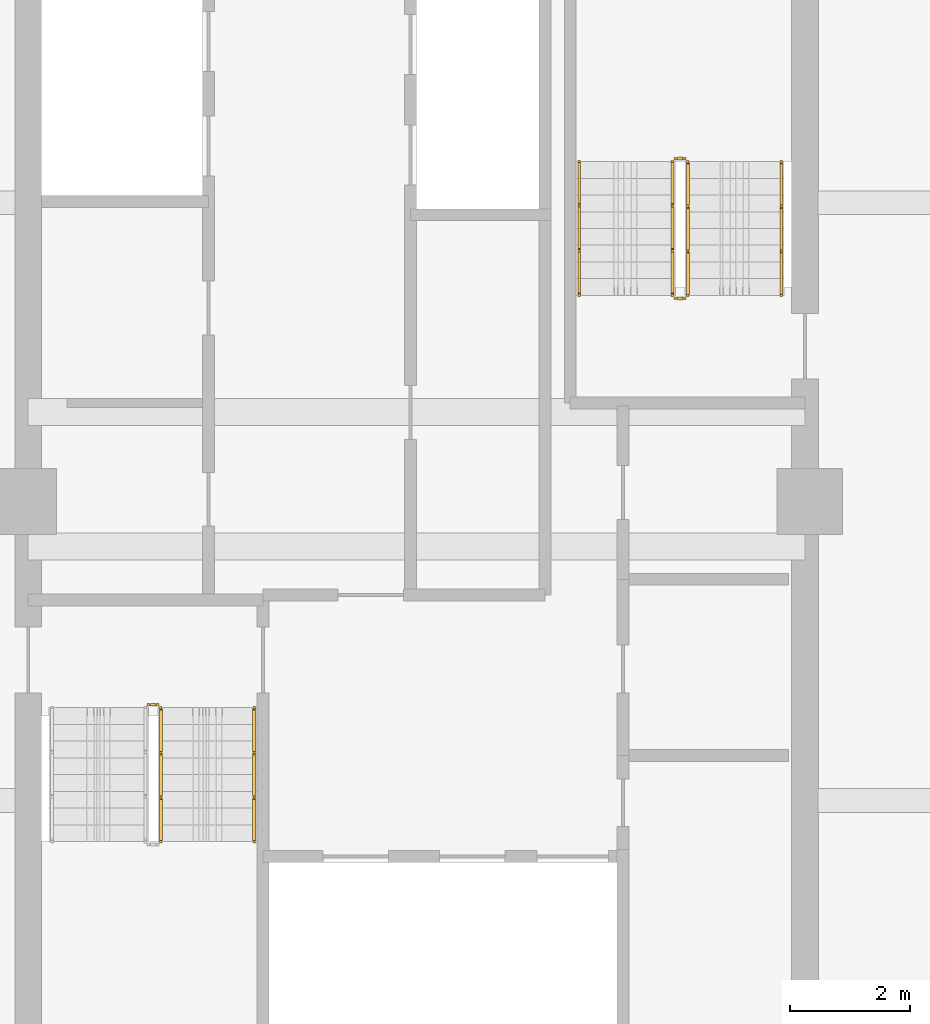
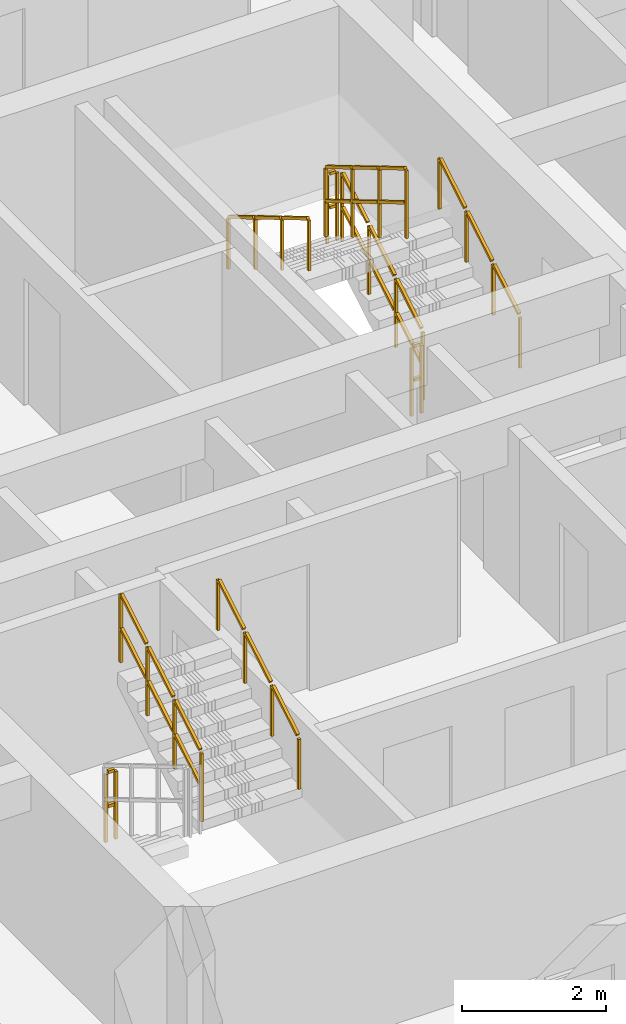
# One storey, part 11 of 13: 9 railings.
"""IFC4 building model written with IfcOpenShell, lengths in metres."""

import ifcopenshell
import ifcopenshell.guid

model = None  # the IFC model being written
_history = None  # IfcOwnerHistory: only IFC2X3 demands one
_inside = {}  # id of a spatial element -> (the spatial element, [elements in it])
_under = {}  # id of a project, library or spatial element -> (it, [spatial elements below it])
_declared = {}  # id of a project -> (the project, [libraries it declares])
_typed = {}  # id of a type object -> (the type object, [elements of that type])
_made_of = {}  # id of a material, layer set ... -> (it, [elements and type objects made of it])


def new_model(schema):
    """Start an empty IFC model of exactly this schema.

    Asked for "IFC4X3", IfcOpenShell would pick the latest addendum, in which some entities
    have other attributes; the version numbers below select the first issue.
    IFC2X3 requires an IfcOwnerHistory on every rooted entity: one is made here for all.
    """
    global model, _history
    if schema == "IFC4X3":
        model = ifcopenshell.file(schema_version=(4, 3, 0, 0))
    else:
        model = ifcopenshell.file(schema=schema)
    _inside.clear()
    _under.clear()
    _declared.clear()
    _typed.clear()
    _made_of.clear()
    _history = None
    if model.schema == "IFC2X3":
        org = make("IfcOrganization", Name="unknown")
        user = make(
            "IfcPersonAndOrganization",
            ThePerson=make("IfcPerson", FamilyName="unknown"),
            TheOrganization=org,
        )
        app = make(
            "IfcApplication",
            ApplicationDeveloper=org,
            Version="unknown",
            ApplicationFullName="unknown",
            ApplicationIdentifier="unknown",
        )
        _history = make(
            "IfcOwnerHistory",
            OwningUser=user,
            OwningApplication=app,
            ChangeAction="ADDED",
            CreationDate=0,
        )
    return model


def make(cls, **values):
    """One entity of the class cls with the attributes given. An attribute that is None is left unset."""
    return model.create_entity(
        cls, **{name: value for name, value in values.items() if value is not None}
    )


def rooted(cls, **values):
    """An entity with a GlobalId (a new one), such as an element, a storey or a relation."""
    return make(cls, GlobalId=ifcopenshell.guid.new(), OwnerHistory=_history, **values)


def si_unit(unit_type, name, prefix=None):
    """IfcSIUnit, for example si_unit("LENGTHUNIT", "METRE", prefix="MILLI")."""
    return make("IfcSIUnit", UnitType=unit_type, Prefix=prefix, Name=name)


def assignment(units):
    """IfcUnitAssignment: the units of a project."""
    return None if units is None else make("IfcUnitAssignment", Units=units)


def point(xyz):
    """IfcCartesianPoint."""
    return None if xyz is None else make("IfcCartesianPoint", Coordinates=xyz)


def direction(xyz):
    """IfcDirection."""
    return None if xyz is None else make("IfcDirection", DirectionRatios=xyz)


def frame(location, z_axis=None, x_axis=None):
    """IfcAxis2Placement3D, a coordinate frame: its origin and axes. An axis left out is left unset."""
    return make(
        "IfcAxis2Placement3D",
        Location=point(location),
        Axis=direction(z_axis),
        RefDirection=direction(x_axis),
    )


def frame_2d(location, x_axis=None):
    """IfcAxis2Placement2D, a coordinate frame in the plane: its origin and x axis."""
    return make(
        "IfcAxis2Placement2D", Location=point(location), RefDirection=direction(x_axis)
    )


def origin():
    """The frame at (0, 0, 0) with its axes left unset."""
    return frame((0.0, 0.0, 0.0))


def origin_2d():
    """The frame at (0, 0) in the plane with its x axis left unset."""
    return frame_2d((0.0, 0.0))


def place(relative_to, where):
    """IfcLocalPlacement: puts the frame where relative to a parent placement (None: the world)."""
    return make(
        "IfcLocalPlacement", PlacementRelTo=relative_to, RelativePlacement=where
    )


def context(
    kind, dimensions, precision=None, world=None, true_north=None, identifier=None
):
    """IfcGeometricRepresentationContext, for example the 3D "Model" context."""
    return make(
        "IfcGeometricRepresentationContext",
        ContextIdentifier=identifier,
        ContextType=kind,
        CoordinateSpaceDimension=dimensions,
        Precision=precision,
        WorldCoordinateSystem=world,
        TrueNorth=true_north,
    )


def subcontext(parent, identifier, kind, view, scale=None):
    """IfcGeometricRepresentationSubContext, for example "Body" below "Model"."""
    return make(
        "IfcGeometricRepresentationSubContext",
        ContextIdentifier=identifier,
        ContextType=kind,
        ParentContext=parent,
        TargetScale=scale,
        TargetView=view,
    )


def project(units=None, contexts=None):
    """IfcProject with its units and contexts."""
    return rooted(
        "IfcProject",
        Name="project",
        RepresentationContexts=contexts,
        UnitsInContext=assignment(units),
    )


def spatial(cls, under=None, at=None, **own):
    """A site, building, storey or space (cls), placed at a placement, below another one or the project."""
    s = rooted(cls, ObjectPlacement=at, **own)
    if under is not None:
        _under.setdefault(under.id(), (under, []))[1].append(s)
    return s


def profile(cls, at=None, kind="AREA", **sizes):
    """A parametric profile (cls). Its sizes go by their IFC names, for example OverallWidth=200.0."""
    return make(cls, ProfileType=kind, Position=at, **sizes)


def rectangle(**sizes):
    """IfcRectangleProfileDef."""
    return profile("IfcRectangleProfileDef", **sizes)


def extrude(swept, where, along, depth):
    """IfcExtrudedAreaSolid: the profile swept, set in the frame where, extruded along a direction by depth."""
    return make(
        "IfcExtrudedAreaSolid",
        SweptArea=swept,
        Position=where,
        ExtrudedDirection=direction(along),
        Depth=depth,
    )


def shape(context_of_items, identifier, shape_type, items):
    """IfcShapeRepresentation: the items that make up one representation, for example the "Body"."""
    return make(
        "IfcShapeRepresentation",
        ContextOfItems=context_of_items,
        RepresentationIdentifier=identifier,
        RepresentationType=shape_type,
        Items=items,
    )


def material(Name=None, Category=None):
    """IfcMaterial."""
    return make("IfcMaterial", Name=Name, Category=Category)


def made_of(thing, what):
    """Note that an element or type object is made of a material, layer set ...; save() writes the relation."""
    if what is not None:
        _made_of.setdefault(what.id(), (what, []))[1].append(thing)
    return thing


def type_object(cls, material=None, **own):
    """A type object (cls), such as IfcWallType, which elements share."""
    return made_of(rooted(cls, **own), material)


def element(
    cls,
    number,
    at=None,
    inside=None,
    cuts=None,
    type_object=None,
    material=None,
    context=None,
    identifier="Body",
    shape_type=None,
    held_by="IfcProductDefinitionShape",
    body=None,
    shapes=None,
    **own,
):
    """One element of the class cls, such as IfcWall. Its Tag is "e" and its number.

    at: its placement. inside: the storey or other place that contains it. cuts: it is an
    opening in that element (IfcRelVoidsElement). A single representation is given by context,
    identifier, shape_type and body (its items); several are given by shapes. held_by: the class
    of the entity that holds the representations. save() writes the other relations.
    """
    e = rooted(cls, Tag="e%d" % number, ObjectPlacement=at, **own)
    if body is not None:
        shapes = [shape(context, identifier, shape_type, body)]
    if shapes is not None:
        e.Representation = make(held_by, Representations=shapes)
    if inside is not None:
        _inside.setdefault(inside.id(), (inside, []))[1].append(e)
    if cuts is not None:
        rooted(
            "IfcRelVoidsElement", RelatingBuildingElement=cuts, RelatedOpeningElement=e
        )
    if type_object is not None:
        _typed.setdefault(type_object.id(), (type_object, []))[1].append(e)
    return made_of(e, material)


def aggregate(whole, parts):
    """IfcRelAggregates: a whole, such as a stair, and the parts it consists of."""
    return rooted("IfcRelAggregates", RelatingObject=whole, RelatedObjects=parts)


def save(model, path):
    """Write the relations noted so far, then the file.

    IfcRelAggregates (storeys below a building ...), IfcRelContainedInSpatialStructure (elements
    in a storey), IfcRelDefinesByType, IfcRelAssociatesMaterial and IfcRelDeclares: one each for
    every whole, place, type object, material and project.
    """
    for whole, parts in _under.values():
        aggregate(whole, parts)
    for where, things in _inside.values():
        rooted(
            "IfcRelContainedInSpatialStructure",
            RelatedElements=things,
            RelatingStructure=where,
        )
    for kind, things in _typed.values():
        rooted("IfcRelDefinesByType", RelatedObjects=things, RelatingType=kind)
    for what, things in _made_of.values():
        rooted("IfcRelAssociatesMaterial", RelatedObjects=things, RelatingMaterial=what)
    for by, libraries in _declared.values():
        rooted("IfcRelDeclares", RelatingContext=by, RelatedDefinitions=libraries)
    model.write(path)


model = new_model("IFC4")

# Units and contexts
model_context = context("Model", 3, precision=1e-05, world=origin(), true_north=direction((0.0, 1.0)))
body_context = subcontext(model_context, "Body", "Model", "MODEL_VIEW")
ifc_project = project(units=[si_unit("LENGTHUNIT", "METRE"), si_unit("AREAUNIT", "SQUARE_METRE"), si_unit("VOLUMEUNIT", "CUBIC_METRE"), si_unit("PLANEANGLEUNIT", "RADIAN"), si_unit("MASSUNIT", "GRAM", prefix="KILO")], contexts=[model_context])

# Site, building, storey
site_placement = place(None, origin())
site = spatial("IfcSite", under=ifc_project, at=site_placement, CompositionType="ELEMENT")
building_placement = place(site_placement, origin())
building = spatial("IfcBuilding", under=site, at=building_placement, Name="Saelheon Loggia Tower", CompositionType="ELEMENT")
storey_placement = place(building_placement, frame((0.0, 0.0, 199.60009765625)))
storey = spatial("IfcBuildingStorey", under=building, at=storey_placement, Name="L62", CompositionType="ELEMENT", Elevation=199.60009765625)

# Railings
ifc_material_1 = material(Name="Galvanised Steel S275 Stairwell Guardrail", Category="steel")
railing_type_1 = type_object("IfcRailingType", Name="Guard_StairWell_RL_STG", PredefinedType="GUARDRAIL", material=ifc_material_1)
railing_1_placement = place(storey_placement, frame((33.719970703125, 21.31005859375, 1.66650390625)))
element("IfcRailing", 1, at=railing_1_placement, inside=storey, type_object=railing_type_1, Name="L62 ST1 stair guard 3", PredefinedType="GUARDRAIL", context=body_context, shape_type="SweptSolid", body=[
    extrude(rectangle(XDim=0.048095703125, YDim=0.048095703125, at=origin_2d()), frame((0.0, 0.028564453125, 1.19287109375), z_axis=(0.0, 0.859264461869, 0.511531606619), x_axis=(-1.0, 0.0, 0.0)), (0.0, 0.0, 1.0), 0.802490234375),
    extrude(rectangle(XDim=0.048095703125, YDim=0.048095703125, at=origin_2d()), frame((0.0, 0.028564453125, 0.616943359375), z_axis=(0.0, 0.859264461869, 0.511531606619), x_axis=(-1.0, 0.0, 0.0)), (0.0, 0.0, 1.0), 0.802490234375),
    extrude(rectangle(XDim=0.048095703125, YDim=0.048095703125, at=origin_2d()), frame((0.0, 0.775146484375, 1.637451171875), z_axis=(0.0, 0.859264461869, 0.511531606619), x_axis=(-1.0, 0.0, 0.0)), (0.0, 0.0, 1.0), 0.802490234375),
    extrude(rectangle(XDim=0.048095703125, YDim=0.048095703125, at=origin_2d()), frame((0.0, 0.775146484375, 1.0615234375), z_axis=(0.0, 0.859264461869, 0.511531606619), x_axis=(-1.0, 0.0, 0.0)), (0.0, 0.0, 1.0), 0.802490234375),
    extrude(rectangle(XDim=0.048095703125, YDim=0.048095703125, at=origin_2d()), frame((0.0, 1.52197265625, 2.081787109375), z_axis=(0.0, 0.859264461869, 0.511531606619), x_axis=(-1.0, 0.0, 0.0)), (0.0, 0.0, 1.0), 0.802490234375),
    extrude(rectangle(XDim=0.048095703125, YDim=0.048095703125, at=origin_2d()), frame((0.0, 1.52197265625, 1.505859375), z_axis=(0.0, 0.859264461869, 0.511531606619), x_axis=(-1.0, 0.0, 0.0)), (0.0, 0.0, 1.0), 0.802490234375),
    extrude(rectangle(XDim=0.0419921875, YDim=0.0419921875, at=origin_2d()), origin(), (0.0, 0.0, 1.0), 1.14794921875),
    extrude(rectangle(XDim=0.0419921875, YDim=0.0419921875, at=origin_2d()), frame((0.0, 0.74658203125, 0.444580078125)), (0.0, 0.0, 1.0), 1.14794921875),
    extrude(rectangle(XDim=0.0419921875, YDim=0.0419921875, at=origin_2d()), frame((0.0, 1.493408203125, 0.888916015625)), (0.0, 0.0, 1.0), 1.14794921875),
    extrude(rectangle(XDim=0.0419921875, YDim=0.0419921875, at=origin_2d()), frame((0.0, 2.239990234375, 1.33349609375)), (0.0, 0.0, 1.0), 1.14794921875),
])
railing_2_placement = place(storey_placement, frame((33.510009765625, 23.60009765625, 0.0)))
element("IfcRailing", 2, at=railing_2_placement, inside=storey, type_object=railing_type_1, Name="L62 ST1 stair guard 4", PredefinedType="GUARDRAIL", context=body_context, shape_type="SweptSolid", body=[
    extrude(rectangle(XDim=0.048095703125, YDim=0.048095703125, at=origin_2d()), frame((0.033203125, 0.0, 1.17578125), z_axis=(1.0, 0.0, 0.0), x_axis=(0.0, 1.0, 0.0)), (0.0, 0.0, 1.0), 0.093505859375),
    extrude(rectangle(XDim=0.048095703125, YDim=0.048095703125, at=origin_2d()), frame((0.033203125, 0.0, 0.60009765625), z_axis=(1.0, 0.0, 0.0), x_axis=(0.0, 1.0, 0.0)), (0.0, 0.0, 1.0), 0.093505859375),
    extrude(rectangle(XDim=0.0419921875, YDim=0.0419921875, at=origin_2d()), origin(), (0.0, 0.0, 1.0), 1.14794921875),
    extrude(rectangle(XDim=0.0419921875, YDim=0.0419921875, at=origin_2d()), frame((0.159912109375, 0.0, 0.0)), (0.0, 0.0, 1.0), 1.14794921875),
])
railing_3_placement = place(storey_placement, frame((42.5400390625, 30.449951171875, 0.16650390625)))
element("IfcRailing", 3, at=railing_3_placement, inside=storey, type_object=railing_type_1, Name="L62 ST2 stair guard 1", PredefinedType="GUARDRAIL", context=body_context, shape_type="SweptSolid", body=[
    extrude(rectangle(XDim=0.048095703125, YDim=0.048095703125, at=origin_2d()), frame((0.0, 0.028564453125, 1.19287109375), z_axis=(0.0, 0.859264461869, 0.511531606619), x_axis=(-1.0, 0.0, 0.0)), (0.0, 0.0, 1.0), 0.802490234375),
    extrude(rectangle(XDim=0.048095703125, YDim=0.048095703125, at=origin_2d()), frame((0.0, 0.028564453125, 0.616943359375), z_axis=(0.0, 0.859264461869, 0.511531606619), x_axis=(-1.0, 0.0, 0.0)), (0.0, 0.0, 1.0), 0.802490234375),
    extrude(rectangle(XDim=0.048095703125, YDim=0.048095703125, at=origin_2d()), frame((0.0, 0.775146484375, 1.637451171875), z_axis=(0.0, 0.859264461869, 0.511531606619), x_axis=(-1.0, 0.0, 0.0)), (0.0, 0.0, 1.0), 0.802490234375),
    extrude(rectangle(XDim=0.048095703125, YDim=0.048095703125, at=origin_2d()), frame((0.0, 0.775146484375, 1.0615234375), z_axis=(0.0, 0.859264461869, 0.511531606619), x_axis=(-1.0, 0.0, 0.0)), (0.0, 0.0, 1.0), 0.802490234375),
    extrude(rectangle(XDim=0.048095703125, YDim=0.048095703125, at=origin_2d()), frame((0.0, 1.52197265625, 2.081787109375), z_axis=(0.0, 0.859264461869, 0.511531606619), x_axis=(-1.0, 0.0, 0.0)), (0.0, 0.0, 1.0), 0.802490234375),
    extrude(rectangle(XDim=0.048095703125, YDim=0.048095703125, at=origin_2d()), frame((0.0, 1.52197265625, 1.505859375), z_axis=(0.0, 0.859264461869, 0.511531606619), x_axis=(-1.0, 0.0, 0.0)), (0.0, 0.0, 1.0), 0.802490234375),
    extrude(rectangle(XDim=0.0419921875, YDim=0.0419921875, at=origin_2d()), origin(), (0.0, 0.0, 1.0), 1.14794921875),
    extrude(rectangle(XDim=0.0419921875, YDim=0.0419921875, at=origin_2d()), frame((0.0, 0.74658203125, 0.444580078125)), (0.0, 0.0, 1.0), 1.14794921875),
    extrude(rectangle(XDim=0.0419921875, YDim=0.0419921875, at=origin_2d()), frame((0.0, 1.493408203125, 0.888916015625)), (0.0, 0.0, 1.0), 1.14794921875),
    extrude(rectangle(XDim=0.0419921875, YDim=0.0419921875, at=origin_2d()), frame((0.0, 2.239990234375, 1.33349609375)), (0.0, 0.0, 1.0), 1.14794921875),
])
railing_4_placement = place(storey_placement, frame((42.489990234375, 32.739990234375, 1.5)))
element("IfcRailing", 4, at=railing_4_placement, inside=storey, type_object=railing_type_1, Name="L62 ST2 stair guard 2", PredefinedType="GUARDRAIL", context=body_context, shape_type="SweptSolid", body=[
    extrude(rectangle(XDim=0.048095703125, YDim=0.048095703125, at=origin_2d()), frame((-0.033203125, 0.0, 1.17578125), z_axis=(-1.0, 0.0, 0.0), x_axis=(0.0, -1.0, 0.0)), (0.0, 0.0, 1.0), 0.093505859375),
    extrude(rectangle(XDim=0.048095703125, YDim=0.048095703125, at=origin_2d()), frame((-0.033203125, 0.0, 0.60009765625), z_axis=(-1.0, 0.0, 0.0), x_axis=(0.0, -1.0, 0.0)), (0.0, 0.0, 1.0), 0.093505859375),
    extrude(rectangle(XDim=0.0419921875, YDim=0.0419921875, at=origin_2d()), origin(), (0.0, 0.0, 1.0), 1.14794921875),
    extrude(rectangle(XDim=0.0419921875, YDim=0.0419921875, at=origin_2d()), frame((-0.159912109375, 0.0, 0.0)), (0.0, 0.0, 1.0), 1.14794921875),
])
railing_5_placement = place(storey_placement, frame((42.280029296875, 32.68994140625, 1.66650390625)))
element("IfcRailing", 5, at=railing_5_placement, inside=storey, type_object=railing_type_1, Name="L62 ST2 stair guard 3", PredefinedType="GUARDRAIL", context=body_context, shape_type="SweptSolid", body=[
    extrude(rectangle(XDim=0.048095703125, YDim=0.048095703125, at=origin_2d()), frame((0.0, -0.028564453125, 1.19287109375), z_axis=(0.0, -0.859264461869, 0.511531606619), x_axis=(1.0, 0.0, 0.0)), (0.0, 0.0, 1.0), 0.802490234375),
    extrude(rectangle(XDim=0.048095703125, YDim=0.048095703125, at=origin_2d()), frame((0.0, -0.028564453125, 0.616943359375), z_axis=(0.0, -0.859264461869, 0.511531606619), x_axis=(1.0, 0.0, 0.0)), (0.0, 0.0, 1.0), 0.802490234375),
    extrude(rectangle(XDim=0.048095703125, YDim=0.048095703125, at=origin_2d()), frame((0.0, -0.775146484375, 1.637451171875), z_axis=(0.0, -0.859264461869, 0.511531606619), x_axis=(1.0, 0.0, 0.0)), (0.0, 0.0, 1.0), 0.802490234375),
    extrude(rectangle(XDim=0.048095703125, YDim=0.048095703125, at=origin_2d()), frame((0.0, -0.775146484375, 1.0615234375), z_axis=(0.0, -0.859264461869, 0.511531606619), x_axis=(1.0, 0.0, 0.0)), (0.0, 0.0, 1.0), 0.802490234375),
    extrude(rectangle(XDim=0.048095703125, YDim=0.048095703125, at=origin_2d()), frame((0.0, -1.52197265625, 2.081787109375), z_axis=(0.0, -0.859264461869, 0.511531606619), x_axis=(1.0, 0.0, 0.0)), (0.0, 0.0, 1.0), 0.802490234375),
    extrude(rectangle(XDim=0.048095703125, YDim=0.048095703125, at=origin_2d()), frame((0.0, -1.52197265625, 1.505859375), z_axis=(0.0, -0.859264461869, 0.511531606619), x_axis=(1.0, 0.0, 0.0)), (0.0, 0.0, 1.0), 0.802490234375),
    extrude(rectangle(XDim=0.0419921875, YDim=0.0419921875, at=origin_2d()), origin(), (0.0, 0.0, 1.0), 1.14794921875),
    extrude(rectangle(XDim=0.0419921875, YDim=0.0419921875, at=origin_2d()), frame((0.0, -0.74658203125, 0.444580078125)), (0.0, 0.0, 1.0), 1.14794921875),
    extrude(rectangle(XDim=0.0419921875, YDim=0.0419921875, at=origin_2d()), frame((0.0, -1.493408203125, 0.888916015625)), (0.0, 0.0, 1.0), 1.14794921875),
    extrude(rectangle(XDim=0.0419921875, YDim=0.0419921875, at=origin_2d()), frame((0.0, -2.239990234375, 1.33349609375)), (0.0, 0.0, 1.0), 1.14794921875),
])
railing_6_placement = place(storey_placement, frame((42.489990234375, 30.39990234375, 0.0)))
element("IfcRailing", 6, at=railing_6_placement, inside=storey, type_object=railing_type_1, Name="L62 ST2 stair guard 4", PredefinedType="GUARDRAIL", context=body_context, shape_type="SweptSolid", body=[
    extrude(rectangle(XDim=0.048095703125, YDim=0.048095703125, at=origin_2d()), frame((-0.033203125, 0.0, 1.17578125), z_axis=(-1.0, 0.0, 0.0), x_axis=(0.0, -1.0, 0.0)), (0.0, 0.0, 1.0), 0.093505859375),
    extrude(rectangle(XDim=0.048095703125, YDim=0.048095703125, at=origin_2d()), frame((-0.033203125, 0.0, 0.60009765625), z_axis=(-1.0, 0.0, 0.0), x_axis=(0.0, -1.0, 0.0)), (0.0, 0.0, 1.0), 0.093505859375),
    extrude(rectangle(XDim=0.0419921875, YDim=0.0419921875, at=origin_2d()), origin(), (0.0, 0.0, 1.0), 1.14794921875),
    extrude(rectangle(XDim=0.0419921875, YDim=0.0419921875, at=origin_2d()), frame((-0.159912109375, 0.0, 0.0)), (0.0, 0.0, 1.0), 1.14794921875),
])
ifc_material_2 = material(Name="Stainless Steel 304 Tubular Handrail", Category="steel")
railing_type_2 = type_object("IfcRailingType", Name="Handrail_Stair_RL_HR1", PredefinedType="HANDRAIL", material=ifc_material_2)
for number, where, name in (
    (7, (35.280029296875, 21.31005859375, 1.66650390625), "L62 ST1 stair handrail 2"),
    (8, (44.10009765625, 30.449951171875, 0.16650390625), "L62 ST2 stair handrail 1"),
):
    element("IfcRailing", number, at=place(storey_placement, frame(where)), inside=storey, type_object=railing_type_2, Name=name, PredefinedType="HANDRAIL", context=body_context, shape_type="SweptSolid", body=[
        extrude(rectangle(XDim=0.048095703125, YDim=0.048095703125, at=origin_2d()), frame((0.0, 0.028564453125, 0.892822265625), z_axis=(0.0, 0.859264461869, 0.511531606619), x_axis=(-1.0, 0.0, 0.0)), (0.0, 0.0, 1.0), 0.802490234375),
        extrude(rectangle(XDim=0.048095703125, YDim=0.048095703125, at=origin_2d()), frame((0.0, 0.775146484375, 1.33740234375), z_axis=(0.0, 0.859264461869, 0.511531606619), x_axis=(-1.0, 0.0, 0.0)), (0.0, 0.0, 1.0), 0.802490234375),
        extrude(rectangle(XDim=0.048095703125, YDim=0.048095703125, at=origin_2d()), frame((0.0, 1.52197265625, 1.78173828125), z_axis=(0.0, 0.859264461869, 0.511531606619), x_axis=(-1.0, 0.0, 0.0)), (0.0, 0.0, 1.0), 0.802490234375),
        extrude(rectangle(XDim=0.0419921875, YDim=0.0419921875, at=origin_2d()), origin(), (0.0, 0.0, 1.0), 0.847900390625),
        extrude(rectangle(XDim=0.0419921875, YDim=0.0419921875, at=origin_2d()), frame((0.0, 0.74658203125, 0.444580078125)), (0.0, 0.0, 1.0), 0.847900390625),
        extrude(rectangle(XDim=0.0419921875, YDim=0.0419921875, at=origin_2d()), frame((0.0, 1.493408203125, 0.888916015625)), (0.0, 0.0, 1.0), 0.847900390625),
        extrude(rectangle(XDim=0.0419921875, YDim=0.0419921875, at=origin_2d()), frame((0.0, 2.239990234375, 1.33349609375)), (0.0, 0.0, 1.0), 0.847900390625),
    ])
railing_7_placement = place(storey_placement, frame((40.719970703125, 32.68994140625, 1.66650390625)))
element("IfcRailing", 9, at=railing_7_placement, inside=storey, type_object=railing_type_2, Name="L62 ST2 stair handrail 2", PredefinedType="HANDRAIL", context=body_context, shape_type="SweptSolid", body=[
    extrude(rectangle(XDim=0.048095703125, YDim=0.048095703125, at=origin_2d()), frame((0.0, -0.028564453125, 0.892822265625), z_axis=(0.0, -0.859264461869, 0.511531606619), x_axis=(1.0, 0.0, 0.0)), (0.0, 0.0, 1.0), 0.802490234375),
    extrude(rectangle(XDim=0.048095703125, YDim=0.048095703125, at=origin_2d()), frame((0.0, -0.775146484375, 1.33740234375), z_axis=(0.0, -0.859264461869, 0.511531606619), x_axis=(1.0, 0.0, 0.0)), (0.0, 0.0, 1.0), 0.802490234375),
    extrude(rectangle(XDim=0.048095703125, YDim=0.048095703125, at=origin_2d()), frame((0.0, -1.52197265625, 1.78173828125), z_axis=(0.0, -0.859264461869, 0.511531606619), x_axis=(1.0, 0.0, 0.0)), (0.0, 0.0, 1.0), 0.802490234375),
    extrude(rectangle(XDim=0.0419921875, YDim=0.0419921875, at=origin_2d()), origin(), (0.0, 0.0, 1.0), 0.847900390625),
    extrude(rectangle(XDim=0.0419921875, YDim=0.0419921875, at=origin_2d()), frame((0.0, -0.74658203125, 0.444580078125)), (0.0, 0.0, 1.0), 0.847900390625),
    extrude(rectangle(XDim=0.0419921875, YDim=0.0419921875, at=origin_2d()), frame((0.0, -1.493408203125, 0.888916015625)), (0.0, 0.0, 1.0), 0.847900390625),
    extrude(rectangle(XDim=0.0419921875, YDim=0.0419921875, at=origin_2d()), frame((0.0, -2.239990234375, 1.33349609375)), (0.0, 0.0, 1.0), 0.847900390625),
])

save(model, "model.ifc")
